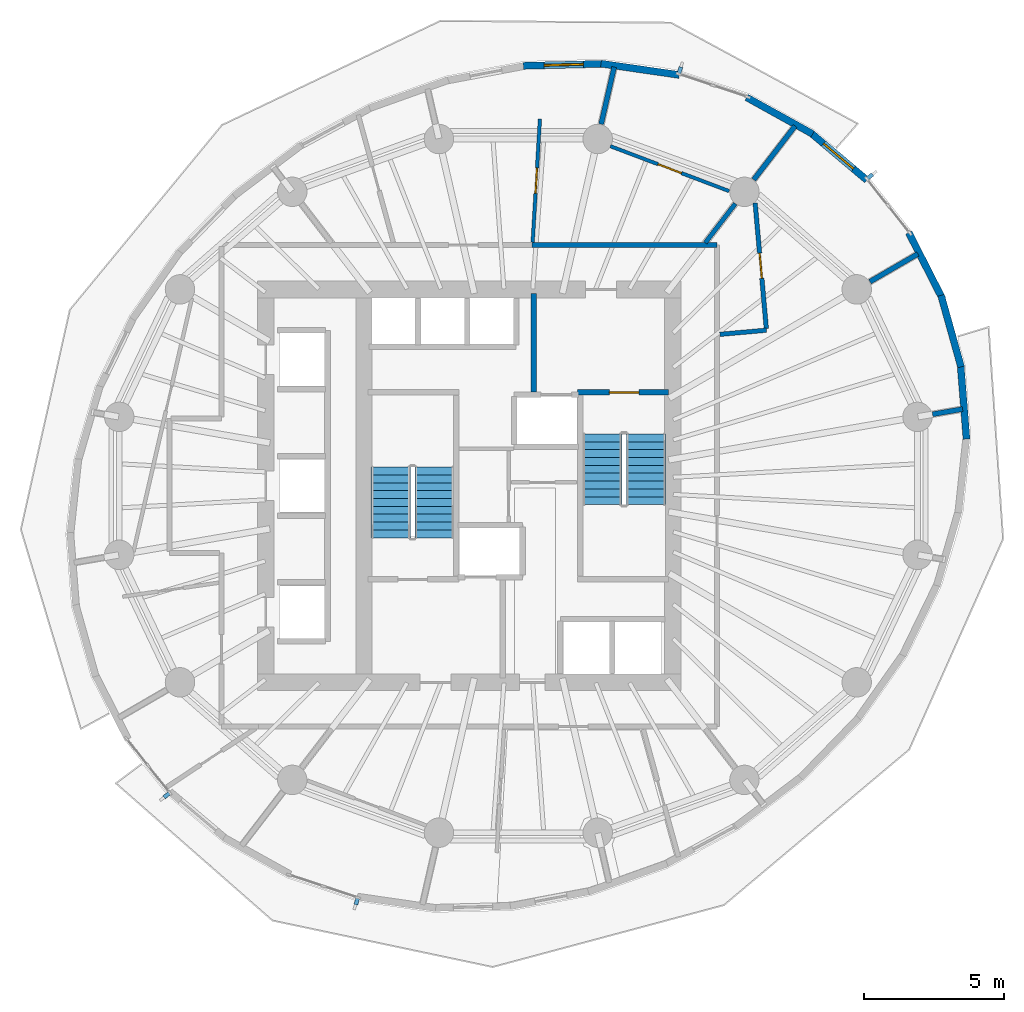
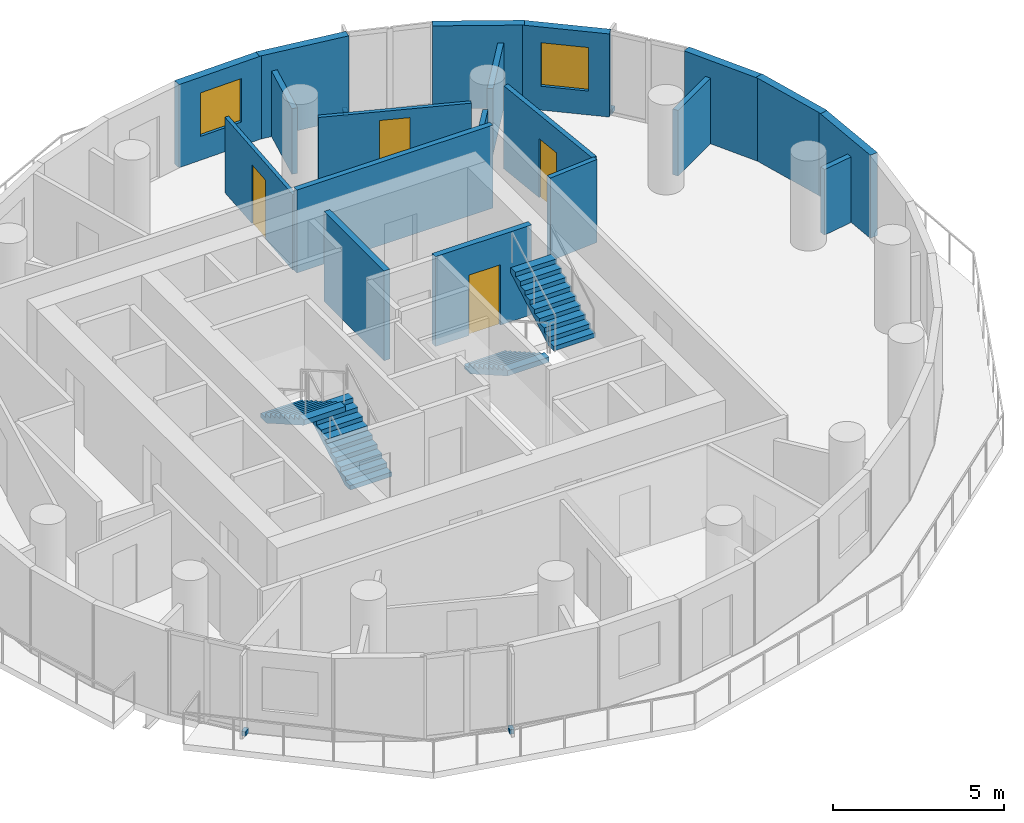
# One storey, part 7 of 12: 19 walls, 4 discrete accessories, 4 doors, 4 stair flights, 2 windows, 6 openings, 2 elements without a shape of their own.
"""IFC4 building model written with IfcOpenShell, lengths in metres."""

from ifc_helpers import new_model, si_unit, direction, frame, frame_2d, origin, origin_2d, place, context, subcontext, project, spatial, polyline, rectangle, outline, extrude, material, layer, layer_set, type_object, element, fill, aggregate, save


model = new_model("IFC4")

# Units and contexts
model_context = context("Model", 3, precision=1e-05, world=origin(), true_north=direction((0.0, 1.0)))
body_context = subcontext(model_context, "Body", "Model", "MODEL_VIEW")
ifc_project = project(units=[si_unit("LENGTHUNIT", "METRE"), si_unit("AREAUNIT", "SQUARE_METRE"), si_unit("VOLUMEUNIT", "CUBIC_METRE"), si_unit("PLANEANGLEUNIT", "RADIAN"), si_unit("MASSUNIT", "GRAM", prefix="KILO")], contexts=[model_context])

# Site, building, storey
site_placement = place(None, origin())
site = spatial("IfcSite", under=ifc_project, at=site_placement, CompositionType="ELEMENT")
building_placement = place(site_placement, origin())
building = spatial("IfcBuilding", under=site, at=building_placement, Name="Veldorim Arch Residences", CompositionType="ELEMENT")
storey_placement = place(building_placement, frame((0.0, 0.0, 132.9599609375)))
storey = spatial("IfcBuildingStorey", under=building, at=storey_placement, Name="L39", CompositionType="ELEMENT", Elevation=132.9599609375)

# Wall, opening, door
ifc_material_1 = material(Name="Acoustic Gypsum Board", Category="gypsum")
ifc_layer_1 = layer(ifc_material_1, 0.125, Name="Acoustic Stud Room Partition Wall 125")
ifc_layer_set_1 = layer_set([ifc_layer_1], Name="Acoustic Gypsum Board")
wall_type_1 = type_object("IfcWallType", Name="Acoustic Stud Room Partition Wall 125", PredefinedType="PARTITIONING", material=ifc_layer_set_1)
wall_1_placement = place(storey_placement, frame((32.76904296875, 37.07275390625, 0.0), z_axis=(0.0, 0.0, 1.0), x_axis=(-0.058751291398, -0.998272651012, 0.0)))
wall_1 = element("IfcWall", 1, at=wall_1_placement, inside=storey, type_object=wall_type_1, Name="L39 interior wall WL-RES-L39-020", PredefinedType="PARTITIONING", context=body_context, shape_type="SweptSolid", body=[
    extrude(rectangle(XDim=4.400634765625, YDim=0.125, at=frame_2d((2.2001953125, 0.0))), origin(), (0.0, 0.0, 1.0), 2.692138671875),
])
opening_1_placement = place(wall_1_placement, frame((1.750244140625, 0.0, 0.0)))
opening_1 = element("IfcOpeningElement", 2, at=opening_1_placement, cuts=wall_1, Name="Opening DR-INT", PredefinedType="OPENING", context=body_context, shape_type="SweptSolid", body=[
    extrude(rectangle(XDim=0.89990234375, YDim=2.10009765625, at=frame_2d((0.449951171875, 1.050048828125))), frame((0.0, 0.072509765625, 0.0), z_axis=(0.0, -1.0, 0.0), x_axis=(1.0, 0.0, 0.0)), (0.0, 0.0, 1.0), 0.14501953125),
])
ifc_material_2 = material(Name="Engineered Timber", Category="wood")
door_type_1 = type_object("IfcDoorType", Name="Apartment Internal Room Timber Door 900x2100", OperationType="SINGLE_SWING_LEFT", PredefinedType="DOOR", material=ifc_material_2)
door_1_placement = place(opening_1_placement, origin())
door_1 = element("IfcDoor", 3, at=door_1_placement, inside=storey, type_object=door_type_1, Name="L39 interior door DR-RES-L39-009", OperationType="SINGLE_SWING_LEFT", OverallHeight=2.10009765625, OverallWidth=0.89990234375, PredefinedType="DOOR", context=body_context, shape_type="SweptSolid", body=[
    extrude(rectangle(XDim=0.89990234375, YDim=2.10009765625, at=frame_2d((0.449951171875, 1.050048828125))), frame((0.0, 0.02490234375, 0.0), z_axis=(0.0, -1.0, 0.0), x_axis=(1.0, 0.0, 0.0)), (0.0, 0.0, 1.0), 0.050048828125),
])
fill(opening_1, door_1)

wall_2_placement = place(storey_placement, frame((35.2783203125, 36.10302734375, 0.0), z_axis=(0.0, 0.0, 1.0), x_axis=(0.935309901838, -0.353829602385, 0.0)))
wall_2 = element("IfcWall", 4, at=wall_2_placement, inside=storey, type_object=wall_type_1, Name="L39 interior wall WL-RES-L39-022", PredefinedType="PARTITIONING", context=body_context, shape_type="SweptSolid", body=[
    extrude(rectangle(XDim=4.525634765625, YDim=0.125, at=frame_2d((2.2626953125, 0.0))), origin(), (0.0, 0.0, 1.0), 2.411376953125),
])
opening_2_placement = place(wall_2_placement, frame((1.81298828125, 0.0, 0.0)))
opening_2 = element("IfcOpeningElement", 5, at=opening_2_placement, cuts=wall_2, Name="Opening DR-INT", PredefinedType="OPENING", context=body_context, shape_type="SweptSolid", body=[
    extrude(rectangle(XDim=0.89990234375, YDim=2.10009765625, at=frame_2d((0.449951171875, 1.050048828125))), frame((0.0, 0.072509765625, 0.0), z_axis=(0.0, -1.0, 0.0), x_axis=(1.0, 0.0, 0.0)), (0.0, 0.0, 1.0), 0.14501953125),
])
door_2_placement = place(opening_2_placement, origin())
door_2 = element("IfcDoor", 6, at=door_2_placement, inside=storey, type_object=door_type_1, Name="L39 interior door DR-RES-L39-010", OperationType="SINGLE_SWING_RIGHT", OverallHeight=2.10009765625, OverallWidth=0.89990234375, PredefinedType="DOOR", context=body_context, shape_type="SweptSolid", body=[
    extrude(rectangle(XDim=0.89990234375, YDim=2.10009765625, at=frame_2d((0.449951171875, 1.050048828125))), frame((0.0, 0.02490234375, 0.0), z_axis=(0.0, -1.0, 0.0), x_axis=(1.0, 0.0, 0.0)), (0.0, 0.0, 1.0), 0.050048828125),
])
fill(opening_2, door_2)

# Walls
ifc_material_3 = material(Name="Lightweight Masonry Block & Gypsum", Category="masonry")
ifc_layer_2 = layer(ifc_material_3, 0.179931640625, Name="Compartment & Corridor Fire-Rated Party Wall 180")
ifc_layer_set_2 = layer_set([ifc_layer_2], Name="Lightweight Masonry Block & Gypsum")
wall_type_2 = type_object("IfcWallType", Name="Compartment & Corridor Fire-Rated Party Wall 180", PredefinedType="PARTITIONING", material=ifc_layer_set_2)
wall_3_placement = place(storey_placement, frame((46.75830078125, 26.55078125, 0.0), z_axis=(0.0, 0.0, 1.0), x_axis=(0.985361391556, 0.170478526599, 0.0)))
element("IfcWall", 7, at=wall_3_placement, inside=storey, type_object=wall_type_2, Name="L39 interior wall WL-PIER-L39-01", PredefinedType="PARTITIONING", context=body_context, shape_type="SweptSolid", body=[
    extrude(rectangle(XDim=1.0869140625, YDim=0.179931640625, at=frame_2d((0.54345703125, 0.0))), origin(), (0.0, 0.0, 1.0), 2.3359375),
])
wall_4_placement = place(storey_placement, frame((44.527587890625, 31.27392578125, 0.0), z_axis=(0.0, 0.0, 1.0), x_axis=(0.864844369658, 0.502040054448, 0.0)))
element("IfcWall", 8, at=wall_4_placement, inside=storey, type_object=wall_type_2, Name="L39 interior wall WL-PIER-L39-02", PredefinedType="PARTITIONING", context=body_context, shape_type="SweptSolid", body=[
    extrude(rectangle(XDim=1.974365234375, YDim=0.179931640625, at=frame_2d((0.9873046875, 0.0))), origin(), (0.0, 0.0, 1.0), 2.3359375),
])
wall_5_placement = place(storey_placement, frame((40.387939453125, 34.908447265625, 0.0), z_axis=(0.0, 0.0, 1.0), x_axis=(0.609549509747, 0.79274800231, 0.0)))
element("IfcWall", 9, at=wall_5_placement, inside=storey, type_object=wall_type_2, Name="L39 interior wall WL-PIER-L39-03", PredefinedType="PARTITIONING", context=body_context, shape_type="SweptSolid", body=[
    extrude(rectangle(XDim=2.414794921875, YDim=0.179931640625, at=frame_2d((1.20751953125, 0.0))), origin(), (0.0, 0.0, 1.0), 2.3359375),
])
wall_6_placement = place(storey_placement, frame((34.950439453125, 36.88916015625, 0.0), z_axis=(0.0, 0.0, 1.0), x_axis=(0.223063251486, 0.974803973031, 0.0)))
element("IfcWall", 10, at=wall_6_placement, inside=storey, type_object=wall_type_2, Name="L39 interior wall WL-PIER-L39-04", PredefinedType="PARTITIONING", context=body_context, shape_type="SweptSolid", body=[
    extrude(rectangle(XDim=2.0849609375, YDim=0.179931640625, at=frame_2d((1.04248046875, 0.0))), origin(), (0.0, 0.0, 1.0), 2.3359375),
])
wall_7_placement = place(storey_placement, frame((32.484619140625, 32.580078125, 0.0), z_axis=(0.0, 0.0, 1.0), x_axis=(1.0, 0.0, 0.0)))
element("IfcWall", 11, at=wall_7_placement, inside=storey, type_object=wall_type_2, Name="L39 interior wall WL-RES-L39-003", PredefinedType="PARTITIONING", context=body_context, shape_type="SweptSolid", body=[
    extrude(rectangle(XDim=6.595458984375, YDim=0.179931640625, at=frame_2d((3.2978515625, 0.0))), origin(), (0.0, 0.0, 1.0), 2.955078125),
])

# Wall, opening, door
ifc_material_4 = material(Name="Concrete C50/60", Category="concrete")
ifc_layer_3 = layer(ifc_material_4, 0.199951171875, Name="Core Stair & Lift Shaft Enclosure Wall 200")
ifc_layer_set_3 = layer_set([ifc_layer_3], Name="Concrete C50/60")
wall_type_3 = type_object("IfcWallType", Name="Core Stair & Lift Shaft Enclosure Wall 200", PredefinedType="SHEAR", material=ifc_layer_set_3)
wall_8_placement = place(storey_placement, frame((34.110107421875, 27.330078125, 0.0), z_axis=(0.0, 0.0, 1.0), x_axis=(1.0, 0.0, 0.0)))
wall_8 = element("IfcWall", 12, at=wall_8_placement, inside=storey, type_object=wall_type_3, Name="L39 shaft wall WL-SHF-L39-ST2-N", PredefinedType="SHEAR", context=body_context, shape_type="SweptSolid", body=[
    extrude(rectangle(XDim=3.239990234375, YDim=0.199951171875, at=frame_2d((1.6201171875, 0.0))), origin(), (0.0, 0.0, 1.0), 3.199951171875),
])
opening_3_placement = place(wall_8_placement, frame((1.135009765625, 0.0, 0.0)))
opening_3 = element("IfcOpeningElement", 13, at=opening_3_placement, cuts=wall_8, Name="Opening DR-ST", PredefinedType="OPENING", context=body_context, shape_type="SweptSolid", body=[
    extrude(rectangle(XDim=1.050048828125, YDim=2.14990234375, at=frame_2d((0.52490234375, 1.074951171875))), frame((0.0, 0.10986328125, 0.0), z_axis=(0.0, -1.0, 0.0), x_axis=(1.0, 0.0, 0.0)), (0.0, 0.0, 1.0), 0.219970703125),
])
ifc_material_5 = material(Name="Fire-Rated Steel", Category="steel")
door_type_2 = type_object("IfcDoorType", Name="Exit Staircase Self-Closing Fire Door 1050x2150", OperationType="SINGLE_SWING_LEFT", PredefinedType="DOOR", material=ifc_material_5)
door_3_placement = place(opening_3_placement, origin())
door_3 = element("IfcDoor", 14, at=door_3_placement, inside=storey, type_object=door_type_2, Name="L39 interior door DR-L39-ST2", OperationType="SINGLE_SWING_RIGHT", OverallHeight=2.14990234375, OverallWidth=1.050048828125, PredefinedType="DOOR", context=body_context, shape_type="SweptSolid", body=[
    extrude(rectangle(XDim=1.050048828125, YDim=2.14990234375, at=frame_2d((0.52490234375, 1.074951171875))), frame((0.0, 0.02490234375, 0.0), z_axis=(0.0, -1.0, 0.0), x_axis=(1.0, 0.0, 0.0)), (0.0, 0.0, 1.0), 0.050048828125),
])
fill(opening_3, door_3)

# Wall
wall_9_placement = place(storey_placement, frame((32.550048828125, 27.35009765625, 0.0), z_axis=(0.0, 0.0, 1.0), x_axis=(0.0, 1.0, 0.0)))
element("IfcWall", 15, at=wall_9_placement, inside=storey, type_object=wall_type_3, Name="L39 shaft wall WL-FFL2-L39-W", PredefinedType="SHEAR", context=body_context, shape_type="SweptSolid", body=[
    extrude(rectangle(XDim=3.5, YDim=0.199951171875, at=frame_2d((1.75, 0.0))), origin(), (0.0, 0.0, 1.0), 3.199951171875),
])

# Wall, opening, window
ifc_material_6 = material(Name="Precast concrete C40/50", Category="concrete")
ifc_layer_4 = layer(ifc_material_6, 0.25, Name="Tower Terracotta Spandrel & Pier Wall 250")
ifc_layer_set_4 = layer_set([ifc_layer_4], Name="Precast concrete C40/50")
wall_type_4 = type_object("IfcWallType", Name="Tower Terracotta Spandrel & Pier Wall 250", PredefinedType="SOLIDWALL", material=ifc_layer_set_4)
wall_10_placement = place(storey_placement, frame((42.39453125, 36.601318359375, 0.0), z_axis=(0.0, 0.0, 1.0), x_axis=(0.764825125467, -0.644237943197, 0.0)))
wall_10 = element("IfcWall", 16, at=wall_10_placement, inside=storey, type_object=wall_type_4, Name="L39 terracotta facade wall 02", PredefinedType="SOLIDWALL", context=body_context, shape_type="SweptSolid", body=[
    extrude(rectangle(XDim=2.648193359375, YDim=0.25, at=frame_2d((1.32421875, 0.0))), origin(), (0.0, 0.0, 1.0), 2.9599609375),
])
opening_4_placement = place(wall_10_placement, frame((0.6240234375, 0.0, 0.85009765625)))
opening_4 = element("IfcOpeningElement", 17, at=opening_4_placement, cuts=wall_10, Name="Opening WN-02", PredefinedType="OPENING", context=body_context, shape_type="SweptSolid", body=[
    extrude(rectangle(XDim=1.39990234375, YDim=1.550048828125, at=frame_2d((0.699951171875, 0.77490234375))), frame((0.0, 0.135009765625, 0.0), z_axis=(0.0, -1.0, 0.0), x_axis=(1.0, 0.0, 0.0)), (0.0, 0.0, 1.0), 0.27001953125),
])
ifc_material_7 = material(Name="Laminated Low-E Glass", Category="glass")
window_type = type_object("IfcWindowType", Name="Residential Casement Window 1400x1550", PartitioningType="SINGLE_PANEL", PredefinedType="WINDOW", material=ifc_material_7)
window_1_placement = place(opening_4_placement, origin())
window_1 = element("IfcWindow", 18, at=window_1_placement, inside=storey, type_object=window_type, Name="L39 solar-control facade window 02", OverallHeight=1.550048828125, OverallWidth=1.39990234375, PartitioningType="SINGLE_PANEL", PredefinedType="WINDOW", context=body_context, shape_type="SweptSolid", body=[
    extrude(rectangle(XDim=1.39990234375, YDim=1.550048828125, at=frame_2d((0.699951171875, 0.77490234375))), frame((0.0, 0.030029296875, 0.0), z_axis=(0.0, -1.0, 0.0), x_axis=(1.0, 0.0, 0.0)), (0.0, 0.0, 1.0), 0.06005859375),
])
fill(opening_4, window_1)

# Walls
wall_11_placement = place(storey_placement, frame((40.1337890625, 37.84375, 0.0), z_axis=(0.0, 0.0, 1.0), x_axis=(0.874341102682, -0.485311895755, 0.0)))
element("IfcWall", 19, at=wall_11_placement, inside=storey, type_object=wall_type_4, Name="L39 terracotta facade wall 03", PredefinedType="SOLIDWALL", context=body_context, shape_type="SweptSolid", body=[
    extrude(rectangle(XDim=2.69287109375, YDim=0.25, at=frame_2d((1.346435546875, 0.0))), origin(), (0.0, 0.0, 1.0), 2.9599609375),
])
wall_12_placement = place(storey_placement, frame((34.94580078125, 39.045166015625, 0.0), z_axis=(0.0, 0.0, 1.0), x_axis=(0.98966505468, -0.143398324768, 0.0)))
element("IfcWall", 20, at=wall_12_placement, inside=storey, type_object=wall_type_4, Name="L39 terracotta facade wall 05", PredefinedType="SOLIDWALL", context=body_context, shape_type="SweptSolid", body=[
    extrude(rectangle(XDim=2.817626953125, YDim=0.25, at=frame_2d((1.40869140625, 0.0))), origin(), (0.0, 0.0, 1.0), 2.9599609375),
])

# Wall, opening, window
wall_13_placement = place(storey_placement, frame((32.175537109375, 38.966796875, 0.0), z_axis=(0.0, 0.0, 1.0), x_axis=(0.999687646408, 0.02499219116, 0.0)))
wall_13 = element("IfcWall", 21, at=wall_13_placement, inside=storey, type_object=wall_type_4, Name="L39 terracotta facade wall 06", PredefinedType="SOLIDWALL", context=body_context, shape_type="SweptSolid", body=[
    extrude(rectangle(XDim=2.8818359375, YDim=0.25, at=frame_2d((1.44091796875, 0.0))), origin(), (0.0, 0.0, 1.0), 2.9599609375),
])
opening_5_placement = place(wall_13_placement, frame((0.740966796875, 0.0, 0.85009765625)))
opening_5 = element("IfcOpeningElement", 22, at=opening_5_placement, cuts=wall_13, Name="Opening WN-02", PredefinedType="OPENING", context=body_context, shape_type="SweptSolid", body=[
    extrude(rectangle(XDim=1.39990234375, YDim=1.550048828125, at=frame_2d((0.699951171875, 0.77490234375))), frame((0.0, 0.135009765625, 0.0), z_axis=(0.0, -1.0, 0.0), x_axis=(1.0, 0.0, 0.0)), (0.0, 0.0, 1.0), 0.27001953125),
])
window_2_placement = place(opening_5_placement, origin())
window_2 = element("IfcWindow", 23, at=window_2_placement, inside=storey, type_object=window_type, Name="L39 solar-control facade window 06", OverallHeight=1.550048828125, OverallWidth=1.39990234375, PartitioningType="SINGLE_PANEL", PredefinedType="WINDOW", context=body_context, shape_type="SweptSolid", body=[
    extrude(rectangle(XDim=1.39990234375, YDim=1.550048828125, at=frame_2d((0.699951171875, 0.77490234375))), frame((0.0, 0.030029296875, 0.0), z_axis=(0.0, -1.0, 0.0), x_axis=(1.0, 0.0, 0.0)), (0.0, 0.0, 1.0), 0.06005859375),
])
fill(opening_5, window_2)

# Walls
wall_14_placement = place(storey_placement, frame((47.755859375, 28.350341796875, 0.0), z_axis=(0.0, 0.0, 1.0), x_axis=(0.079420906371, -0.996841170714, 0.0)))
element("IfcWall", 24, at=wall_14_placement, inside=storey, type_object=wall_type_4, Name="L39 terracotta facade wall 34", PredefinedType="SOLIDWALL", context=body_context, shape_type="SweptSolid", body=[
    extrude(rectangle(XDim=2.69287109375, YDim=0.25, at=frame_2d((1.346435546875, 0.0))), origin(), (0.0, 0.0, 1.0), 2.9599609375),
])
wall_15_placement = place(storey_placement, frame((47.062255859375, 30.788818359375, 0.0), z_axis=(0.0, 0.0, 1.0), x_axis=(0.269469206067, -0.963009006698, 0.0)))
element("IfcWall", 25, at=wall_15_placement, inside=storey, type_object=wall_type_4, Name="L39 terracotta facade wall 35", PredefinedType="SOLIDWALL", context=body_context, shape_type="SweptSolid", body=[
    extrude(rectangle(XDim=2.648193359375, YDim=0.25, at=frame_2d((1.32421875, 0.0))), origin(), (0.0, 0.0, 1.0), 2.9599609375),
])
wall_16_placement = place(storey_placement, frame((45.912109375, 33.02001953125, 0.0), z_axis=(0.0, 0.0, 1.0), x_axis=(0.454196134835, -0.890901717981, 0.0)))
element("IfcWall", 26, at=wall_16_placement, inside=storey, type_object=wall_type_4, Name="L39 terracotta facade wall 36", PredefinedType="SOLIDWALL", context=body_context, shape_type="SweptSolid", body=[
    extrude(rectangle(XDim=2.624267578125, YDim=0.25, at=frame_2d((1.31201171875, 0.0))), origin(), (0.0, 0.0, 1.0), 2.9599609375),
])
ifc_material_8 = material(Name="Moisture-Resistant Gypsum & Stud", Category="gypsum")
ifc_layer_5 = layer(ifc_material_8, 0.159912109375, Name="Wet-Area Moisture-Resistant Plumbing Wall 160")
ifc_layer_set_5 = layer_set([ifc_layer_5], Name="Moisture-Resistant Gypsum & Stud")
wall_type_5 = type_object("IfcWallType", Name="Wet-Area Moisture-Resistant Plumbing Wall 160", PredefinedType="PLUMBINGWALL", material=ifc_layer_set_5)
wall_17_placement = place(storey_placement, frame((39.1796875, 29.398193359375, 0.0), z_axis=(0.0, 0.0, 1.0), x_axis=(0.996058284503, 0.088701149215, 0.0)))
element("IfcWall", 27, at=wall_17_placement, inside=storey, type_object=wall_type_5, Name="L39 interior wall WL-RES-L39-016", PredefinedType="PLUMBINGWALL", context=body_context, shape_type="SweptSolid", body=[
    extrude(rectangle(XDim=1.66796875, YDim=0.159912109375, at=frame_2d((0.833984375, 0.0))), origin(), (0.0, 0.0, 1.0), 2.955078125),
])

# Wall, opening, door
wall_18_placement = place(storey_placement, frame((40.835693359375, 29.60595703125, 0.0), z_axis=(0.0, 0.0, 1.0), x_axis=(-0.08877110741, 0.996052052098, 0.0)))
wall_18 = element("IfcWall", 28, at=wall_18_placement, inside=storey, type_object=wall_type_5, Name="L39 interior wall WL-RES-L39-017", PredefinedType="PLUMBINGWALL", context=body_context, shape_type="SweptSolid", body=[
    extrude(rectangle(XDim=4.4912109375, YDim=0.159912109375, at=frame_2d((2.24560546875, 0.0))), origin(), (0.0, 0.0, 1.0), 2.955078125),
])
opening_6_placement = place(wall_18_placement, frame((1.795654296875, 0.0, 0.0)))
opening_6 = element("IfcOpeningElement", 29, at=opening_6_placement, cuts=wall_18, Name="Opening DR-WC", PredefinedType="OPENING", context=body_context, shape_type="SweptSolid", body=[
    extrude(rectangle(XDim=0.89990234375, YDim=2.10009765625, at=frame_2d((0.449951171875, 1.050048828125))), frame((0.0, 0.08984375, 0.0), z_axis=(0.0, -1.0, 0.0), x_axis=(1.0, 0.0, 0.0)), (0.0, 0.0, 1.0), 0.179931640625),
])
ifc_material_9 = material(Name="Laminate Timber", Category="wood")
door_type_3 = type_object("IfcDoorType", Name="Bathroom & Accessible WC Moisture-Sealed Door 900x2100", OperationType="SINGLE_SWING_LEFT", PredefinedType="DOOR", material=ifc_material_9)
door_4_placement = place(opening_6_placement, origin())
door_4 = element("IfcDoor", 30, at=door_4_placement, inside=storey, type_object=door_type_3, Name="L39 interior door DR-RES-L39-006", OperationType="SINGLE_SWING_RIGHT", OverallHeight=2.10009765625, OverallWidth=0.89990234375, PredefinedType="DOOR", context=body_context, shape_type="SweptSolid", body=[
    extrude(rectangle(XDim=0.89990234375, YDim=2.10009765625, at=frame_2d((0.449951171875, 1.050048828125))), frame((0.0, 0.02490234375, 0.0), z_axis=(0.0, -1.0, 0.0), x_axis=(1.0, 0.0, 0.0)), (0.0, 0.0, 1.0), 0.050048828125),
])
fill(opening_6, door_4)

# Wall
wall_19_placement = place(storey_placement, frame((38.658447265625, 32.6591796875, 0.0), z_axis=(0.0, 0.0, 1.0), x_axis=(0.609536601946, 0.792757927042, 0.0)))
element("IfcWall", 31, at=wall_19_placement, inside=storey, type_object=wall_type_5, Name="L39 interior wall WL-RES-L39-018", PredefinedType="PLUMBINGWALL", context=body_context, shape_type="SweptSolid", body=[
    extrude(rectangle(XDim=1.761474609375, YDim=0.159912109375, at=frame_2d((0.880859375, 0.0))), origin(), (0.0, 0.0, 1.0), 2.3359375),
])

# Stair, stair flights
ifc_material_10 = material(Name="Concrete C40/50", Category="concrete")
stair_type = type_object("IfcStairType", Name="Reinforced Concrete Dogleg Exit Staircase", PredefinedType="HALF_TURN_STAIR", material=ifc_material_10)
stair_1_placement = place(storey_placement, origin())
stair_1 = element("IfcStair", 32, at=stair_1_placement, inside=storey, type_object=stair_type, Name="L39 Exit Staircase ST-1", PredefinedType="HALF_TURN_STAIR")
ifc_material_11 = material(Name="Concrete C40/50", Category="concrete")
stair_flight_type = type_object("IfcStairFlightType", Name="Reinforced Concrete Stair Flight 1400", PredefinedType="STRAIGHT", material=ifc_material_11)
stair_flight_1_placement = place(storey_placement, frame((29.010009765625, 22.14990234375, 0.0), z_axis=(0.0, 0.0, 1.0), x_axis=(0.0, 1.0, 0.0)))
stair_flight_1 = element("IfcStairFlight", 33, at=stair_flight_1_placement, type_object=stair_flight_type, Name="ST-1 flight 1", NumberOfRisers=10, NumberOfTreads=9, PredefinedType="STRAIGHT", RiserHeight=0.16, TreadLength=0.28, context=body_context, shape_type="SweptSolid", body=[
    extrude(outline(polyline([(0.0, 0.0), (0.0, 0.159912109375), (0.280029296875, 0.159912109375), (0.280029296875, 0.320068359375), (0.56005859375, 0.320068359375), (0.56005859375, 0.47998046875), (0.840087890625, 0.47998046875), (0.840087890625, 0.639892578125), (1.1201171875, 0.639892578125), (1.1201171875, 0.800048828125), (1.39990234375, 0.800048828125), (1.39990234375, 0.9599609375), (1.679931640625, 0.9599609375), (1.679931640625, 1.1201171875), (1.9599609375, 1.1201171875), (1.9599609375, 1.280029296875), (2.239990234375, 1.280029296875), (2.239990234375, 1.43994140625), (2.52001953125, 1.43994140625), (2.52001953125, 1.60009765625), (2.52001953125, 1.255859375), (0.322265625, 0.0), (0.0, 0.0)])), frame((0.0, 0.699951171875, 0.0), z_axis=(0.0, -1.0, 0.0), x_axis=(1.0, 0.0, 0.0)), (0.0, 0.0, 1.0), 1.39990234375),
])
stair_flight_2_placement = place(storey_placement, frame((27.449951171875, 24.669921875, 1.60009765625), z_axis=(0.0, 0.0, 1.0), x_axis=(0.0, -1.0, 0.0)))
stair_flight_2 = element("IfcStairFlight", 34, at=stair_flight_2_placement, type_object=stair_flight_type, Name="ST-1 flight 2", NumberOfRisers=10, NumberOfTreads=9, PredefinedType="STRAIGHT", RiserHeight=0.16, TreadLength=0.28, context=body_context, shape_type="SweptSolid", body=[
    extrude(outline(polyline([(0.0, 0.0), (0.0, 0.159912109375), (0.280029296875, 0.159912109375), (0.280029296875, 0.320068359375), (0.56005859375, 0.320068359375), (0.56005859375, 0.47998046875), (0.840087890625, 0.47998046875), (0.840087890625, 0.639892578125), (1.1201171875, 0.639892578125), (1.1201171875, 0.800048828125), (1.39990234375, 0.800048828125), (1.39990234375, 0.9599609375), (1.679931640625, 0.9599609375), (1.679931640625, 1.1201171875), (1.9599609375, 1.1201171875), (1.9599609375, 1.280029296875), (2.239990234375, 1.280029296875), (2.239990234375, 1.43994140625), (2.52001953125, 1.43994140625), (2.52001953125, 1.60009765625), (2.52001953125, 1.255859375), (0.322265625, 0.0), (0.0, 0.0)])), frame((0.0, 0.699951171875, 0.0), z_axis=(0.0, -1.0, 0.0), x_axis=(1.0, 0.0, 0.0)), (0.0, 0.0, 1.0), 1.39990234375),
])
aggregate(stair_1, [stair_flight_1, stair_flight_2])

stair_2_placement = place(storey_placement, origin())
stair_2 = element("IfcStair", 35, at=stair_2_placement, inside=storey, type_object=stair_type, Name="L39 Exit Staircase ST-2", PredefinedType="HALF_TURN_STAIR")
stair_flight_3_placement = place(storey_placement, frame((34.989990234375, 25.85009765625, 0.0), z_axis=(0.0, 0.0, 1.0), x_axis=(0.0, -1.0, 0.0)))
stair_flight_3 = element("IfcStairFlight", 36, at=stair_flight_3_placement, type_object=stair_flight_type, Name="ST-2 flight 1", NumberOfRisers=10, NumberOfTreads=9, PredefinedType="STRAIGHT", RiserHeight=0.16, TreadLength=0.28, context=body_context, shape_type="SweptSolid", body=[
    extrude(outline(polyline([(0.0, 0.0), (0.0, 0.159912109375), (0.280029296875, 0.159912109375), (0.280029296875, 0.320068359375), (0.56005859375, 0.320068359375), (0.56005859375, 0.47998046875), (0.840087890625, 0.47998046875), (0.840087890625, 0.639892578125), (1.1201171875, 0.639892578125), (1.1201171875, 0.800048828125), (1.39990234375, 0.800048828125), (1.39990234375, 0.9599609375), (1.679931640625, 0.9599609375), (1.679931640625, 1.1201171875), (1.9599609375, 1.1201171875), (1.9599609375, 1.280029296875), (2.239990234375, 1.280029296875), (2.239990234375, 1.43994140625), (2.52001953125, 1.43994140625), (2.52001953125, 1.60009765625), (2.52001953125, 1.255859375), (0.322265625, 0.0), (0.0, 0.0)])), frame((0.0, 0.699951171875, 0.0), z_axis=(0.0, -1.0, 0.0), x_axis=(1.0, 0.0, 0.0)), (0.0, 0.0, 1.0), 1.39990234375),
])
stair_flight_4_placement = place(storey_placement, frame((36.550048828125, 23.330078125, 1.60009765625), z_axis=(0.0, 0.0, 1.0), x_axis=(0.0, 1.0, 0.0)))
stair_flight_4 = element("IfcStairFlight", 37, at=stair_flight_4_placement, type_object=stair_flight_type, Name="ST-2 flight 2", NumberOfRisers=10, NumberOfTreads=9, PredefinedType="STRAIGHT", RiserHeight=0.16, TreadLength=0.28, context=body_context, shape_type="SweptSolid", body=[
    extrude(outline(polyline([(0.0, 0.0), (0.0, 0.159912109375), (0.280029296875, 0.159912109375), (0.280029296875, 0.320068359375), (0.56005859375, 0.320068359375), (0.56005859375, 0.47998046875), (0.840087890625, 0.47998046875), (0.840087890625, 0.639892578125), (1.1201171875, 0.639892578125), (1.1201171875, 0.800048828125), (1.39990234375, 0.800048828125), (1.39990234375, 0.9599609375), (1.679931640625, 0.9599609375), (1.679931640625, 1.1201171875), (1.9599609375, 1.1201171875), (1.9599609375, 1.280029296875), (2.239990234375, 1.280029296875), (2.239990234375, 1.43994140625), (2.52001953125, 1.43994140625), (2.52001953125, 1.60009765625), (2.52001953125, 1.255859375), (0.322265625, 0.0), (0.0, 0.0)])), frame((0.0, 0.699951171875, 0.0), z_axis=(0.0, -1.0, 0.0), x_axis=(1.0, 0.0, 0.0)), (0.0, 0.0, 1.0), 1.39990234375),
])
aggregate(stair_2, [stair_flight_3, stair_flight_4])

# Discrete accessories
ifc_material_12 = material(Name="Stainless Steel", Category="steel")
discrete_accessory_type = type_object("IfcDiscreteAccessoryType", Name="Stainless Steel Facade Fin Anchor Bracket", PredefinedType="BRACKET", material=ifc_material_12)
for number, where, z_axis, x_axis, name in (
    (38, (44.527099609375, 35.023681640625, -0.02001953125), (0.0, 0.0, 1.0), (0.622514636638, -0.782608156852, 0.0), "L39 stainless fin anchor bracket 01"),
    (39, (37.756591796875, 38.8076171875, -0.02001953125), (0.0, 0.0, 1.0), (0.948931088342, -0.315483422034, 0.0), "L39 stainless fin anchor bracket 04"),
    (40, (19.472900390625, 12.976318359375, -0.02001953125), (0.0, 0.0, 1.0), (-0.622514636638, 0.782608156852, 0.0), "L39 stainless fin anchor bracket 19"),
    (41, (26.243408203125, 9.1923828125, -0.02001953125), (0.0, 0.0, 1.0), (-0.948931088342, 0.315483422034, 0.0), "L39 stainless fin anchor bracket 22"),
):
    element("IfcDiscreteAccessory", number, at=place(storey_placement, frame(where, z_axis=z_axis, x_axis=x_axis)), inside=storey, type_object=discrete_accessory_type, Name=name, PredefinedType="BRACKET", context=body_context, shape_type="SweptSolid", body=[
        extrude(rectangle(XDim=0.139892578125, YDim=0.239990234375, at=origin_2d()), origin(), (0.0, 0.0, 1.0), 0.159912109375),
    ])

save(model, "model.ifc")
